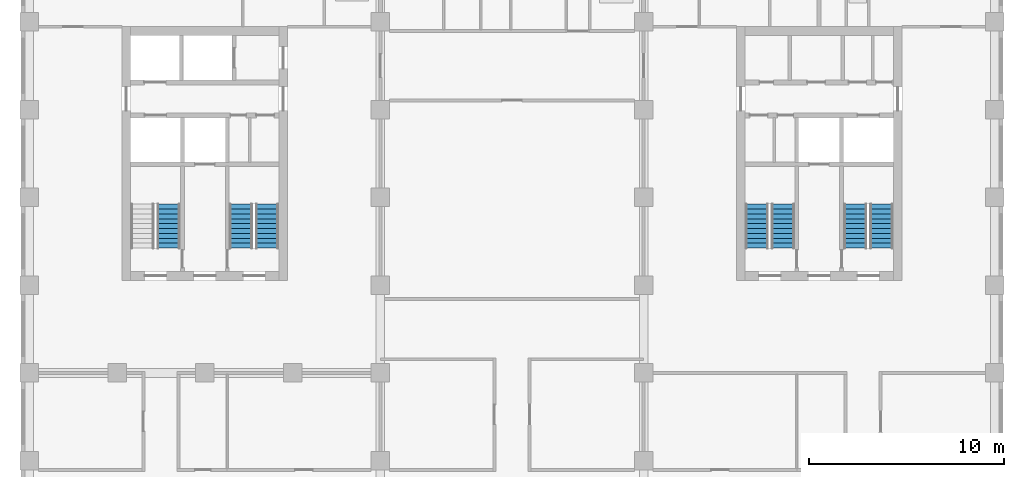
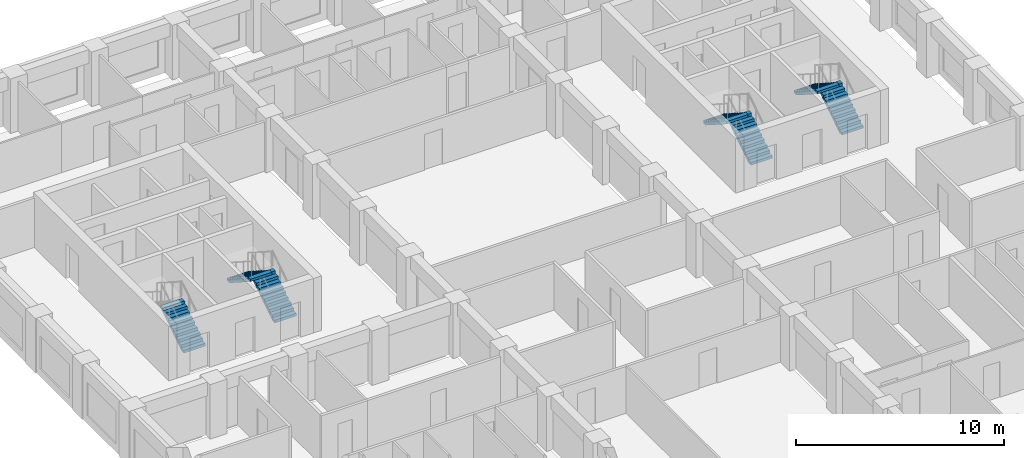
# One storey, part 10 of 13: 7 stair flights, 4 elements without a shape of their own.
"""IFC4 building model written with IfcOpenShell, lengths in metres."""

from ifc_helpers import new_model, si_unit, direction, frame, origin, place, context, subcontext, project, spatial, polyline, outline, extrude, material, type_object, element, aggregate, save


model = new_model("IFC4")

# Units and contexts
model_context = context("Model", 3, precision=1e-05, world=origin(), true_north=direction((0.0, 1.0)))
body_context = subcontext(model_context, "Body", "Model", "MODEL_VIEW")
ifc_project = project(units=[si_unit("LENGTHUNIT", "METRE"), si_unit("AREAUNIT", "SQUARE_METRE"), si_unit("VOLUMEUNIT", "CUBIC_METRE"), si_unit("PLANEANGLEUNIT", "RADIAN"), si_unit("MASSUNIT", "GRAM", prefix="KILO")], contexts=[model_context])

# Site, building, storey
site_placement = place(None, origin())
site = spatial("IfcSite", under=ifc_project, at=site_placement, CompositionType="ELEMENT")
building_placement = place(site_placement, origin())
building = spatial("IfcBuilding", under=site, at=building_placement, Name="Girih Gate Residences", CompositionType="ELEMENT")
storey_placement = place(building_placement, frame((0.0, 0.0, 133.39990234375)))
storey = spatial("IfcBuildingStorey", under=building, at=storey_placement, Name="L37", CompositionType="ELEMENT", Elevation=133.39990234375)

# Stair, stair flight
ifc_material = material(Name="Concrete C40/50", Category="concrete")
stair_type = type_object("IfcStairType", Name="Exit stair", PredefinedType="HALF_TURN_STAIR", material=ifc_material)
stair_1_placement = place(storey_placement, origin())
stair_1 = element("IfcStair", 1, at=stair_1_placement, inside=storey, type_object=stair_type, Name="L37 Exit Stair ST-W1", PredefinedType="HALF_TURN_STAIR")
stair_flight_type = type_object("IfcStairFlightType", Name="Stair flight 1200", PredefinedType="STRAIGHT", material=ifc_material)
stair_flight_1_placement = place(storey_placement, frame((7.14990234375, 28.89990234375, 0.0), z_axis=(0.0, 0.0, 1.0), x_axis=(0.0, 1.0, 0.0)))
stair_flight_1 = element("IfcStairFlight", 2, at=stair_flight_1_placement, type_object=stair_flight_type, Name="ST-W1 flight 1", NumberOfRisers=10, NumberOfTreads=9, PredefinedType="STRAIGHT", RiserHeight=0.16, TreadLength=0.25, context=body_context, shape_type="SweptSolid", body=[
    extrude(outline(polyline([(0.0, 0.0), (0.0, 0.159912109375), (0.25, 0.159912109375), (0.25, 0.320068359375), (0.5, 0.320068359375), (0.5, 0.47998046875), (0.75, 0.47998046875), (0.75, 0.639892578125), (1.0, 0.639892578125), (1.0, 0.800048828125), (1.25, 0.800048828125), (1.25, 0.9599609375), (1.5, 0.9599609375), (1.5, 1.1201171875), (1.75, 1.1201171875), (1.75, 1.280029296875), (2.0, 1.280029296875), (2.0, 1.43994140625), (2.25, 1.43994140625), (2.25, 1.60009765625), (2.25, 1.29736328125), (0.222900390625, 0.0), (0.0, 0.0)])), frame((0.0, 0.60009765625, 0.0), z_axis=(0.0, -1.0, 0.0), x_axis=(1.0, 0.0, 0.0)), (0.0, 0.0, 1.0), 1.199951171875),
])
aggregate(stair_1, [stair_flight_1])

# Stair, stair flights
stair_2_placement = place(storey_placement, origin())
stair_2 = element("IfcStair", 3, at=stair_2_placement, inside=storey, type_object=stair_type, Name="L37 Exit Stair ST-W2", PredefinedType="HALF_TURN_STAIR")
stair_flight_2_placement = place(storey_placement, frame((12.199951171875, 28.89990234375, 0.0), z_axis=(0.0, 0.0, 1.0), x_axis=(0.0, 1.0, 0.0)))
stair_flight_2 = element("IfcStairFlight", 4, at=stair_flight_2_placement, type_object=stair_flight_type, Name="ST-W2 flight 1", NumberOfRisers=10, NumberOfTreads=9, PredefinedType="STRAIGHT", RiserHeight=0.16, TreadLength=0.25, context=body_context, shape_type="SweptSolid", body=[
    extrude(outline(polyline([(0.0, 0.0), (0.0, 0.159912109375), (0.25, 0.159912109375), (0.25, 0.320068359375), (0.5, 0.320068359375), (0.5, 0.47998046875), (0.75, 0.47998046875), (0.75, 0.639892578125), (1.0, 0.639892578125), (1.0, 0.800048828125), (1.25, 0.800048828125), (1.25, 0.9599609375), (1.5, 0.9599609375), (1.5, 1.1201171875), (1.75, 1.1201171875), (1.75, 1.280029296875), (2.0, 1.280029296875), (2.0, 1.43994140625), (2.25, 1.43994140625), (2.25, 1.60009765625), (2.25, 1.29736328125), (0.222900390625, 0.0), (0.0, 0.0)])), frame((0.0, 0.60009765625, 0.0), z_axis=(0.0, -1.0, 0.0), x_axis=(1.0, 0.0, 0.0)), (0.0, 0.0, 1.0), 1.199951171875),
])
stair_flight_3_placement = place(storey_placement, frame((10.85009765625, 31.14990234375, 1.60009765625), z_axis=(0.0, 0.0, 1.0), x_axis=(0.0, -1.0, 0.0)))
stair_flight_3 = element("IfcStairFlight", 5, at=stair_flight_3_placement, type_object=stair_flight_type, Name="ST-W2 flight 2", NumberOfRisers=10, NumberOfTreads=9, PredefinedType="STRAIGHT", RiserHeight=0.16, TreadLength=0.25, context=body_context, shape_type="SweptSolid", body=[
    extrude(outline(polyline([(0.0, 0.0), (0.0, 0.159912109375), (0.25, 0.159912109375), (0.25, 0.320068359375), (0.5, 0.320068359375), (0.5, 0.47998046875), (0.75, 0.47998046875), (0.75, 0.639892578125), (1.0, 0.639892578125), (1.0, 0.800048828125), (1.25, 0.800048828125), (1.25, 0.9599609375), (1.5, 0.9599609375), (1.5, 1.1201171875), (1.75, 1.1201171875), (1.75, 1.280029296875), (2.0, 1.280029296875), (2.0, 1.43994140625), (2.25, 1.43994140625), (2.25, 1.60009765625), (2.25, 1.29736328125), (0.222900390625, 0.0), (0.0, 0.0)])), frame((0.0, 0.60009765625, 0.0), z_axis=(0.0, -1.0, 0.0), x_axis=(1.0, 0.0, 0.0)), (0.0, 0.0, 1.0), 1.199951171875),
])
aggregate(stair_2, [stair_flight_2, stair_flight_3])

stair_3_placement = place(storey_placement, origin())
stair_3 = element("IfcStair", 6, at=stair_3_placement, inside=storey, type_object=stair_type, Name="L37 Exit Stair ST-E1", PredefinedType="HALF_TURN_STAIR")
stair_flight_4_placement = place(storey_placement, frame((43.699951171875, 28.89990234375, 0.0), z_axis=(0.0, 0.0, 1.0), x_axis=(0.0, 1.0, 0.0)))
stair_flight_4 = element("IfcStairFlight", 7, at=stair_flight_4_placement, type_object=stair_flight_type, Name="ST-E1 flight 1", NumberOfRisers=10, NumberOfTreads=9, PredefinedType="STRAIGHT", RiserHeight=0.16, TreadLength=0.25, context=body_context, shape_type="SweptSolid", body=[
    extrude(outline(polyline([(0.0, 0.0), (0.0, 0.159912109375), (0.25, 0.159912109375), (0.25, 0.320068359375), (0.5, 0.320068359375), (0.5, 0.47998046875), (0.75, 0.47998046875), (0.75, 0.639892578125), (1.0, 0.639892578125), (1.0, 0.800048828125), (1.25, 0.800048828125), (1.25, 0.9599609375), (1.5, 0.9599609375), (1.5, 1.1201171875), (1.75, 1.1201171875), (1.75, 1.280029296875), (2.0, 1.280029296875), (2.0, 1.43994140625), (2.25, 1.43994140625), (2.25, 1.60009765625), (2.25, 1.29736328125), (0.222900390625, 0.0), (0.0, 0.0)])), frame((0.0, 0.60009765625, 0.0), z_axis=(0.0, -1.0, 0.0), x_axis=(1.0, 0.0, 0.0)), (0.0, 0.0, 1.0), 1.199951171875),
])
stair_flight_5_placement = place(storey_placement, frame((42.35009765625, 31.14990234375, 1.60009765625), z_axis=(0.0, 0.0, 1.0), x_axis=(0.0, -1.0, 0.0)))
stair_flight_5 = element("IfcStairFlight", 8, at=stair_flight_5_placement, type_object=stair_flight_type, Name="ST-E1 flight 2", NumberOfRisers=10, NumberOfTreads=9, PredefinedType="STRAIGHT", RiserHeight=0.16, TreadLength=0.25, context=body_context, shape_type="SweptSolid", body=[
    extrude(outline(polyline([(0.0, 0.0), (0.0, 0.159912109375), (0.25, 0.159912109375), (0.25, 0.320068359375), (0.5, 0.320068359375), (0.5, 0.47998046875), (0.75, 0.47998046875), (0.75, 0.639892578125), (1.0, 0.639892578125), (1.0, 0.800048828125), (1.25, 0.800048828125), (1.25, 0.9599609375), (1.5, 0.9599609375), (1.5, 1.1201171875), (1.75, 1.1201171875), (1.75, 1.280029296875), (2.0, 1.280029296875), (2.0, 1.43994140625), (2.25, 1.43994140625), (2.25, 1.60009765625), (2.25, 1.29736328125), (0.222900390625, 0.0), (0.0, 0.0)])), frame((0.0, 0.60009765625, 0.0), z_axis=(0.0, -1.0, 0.0), x_axis=(1.0, 0.0, 0.0)), (0.0, 0.0, 1.0), 1.199951171875),
])
aggregate(stair_3, [stair_flight_4, stair_flight_5])

stair_4_placement = place(storey_placement, origin())
stair_4 = element("IfcStair", 9, at=stair_4_placement, inside=storey, type_object=stair_type, Name="L37 Exit Stair ST-E2", PredefinedType="HALF_TURN_STAIR")
stair_flight_6_placement = place(storey_placement, frame((38.64990234375, 28.89990234375, 0.0), z_axis=(0.0, 0.0, 1.0), x_axis=(0.0, 1.0, 0.0)))
stair_flight_6 = element("IfcStairFlight", 10, at=stair_flight_6_placement, type_object=stair_flight_type, Name="ST-E2 flight 1", NumberOfRisers=10, NumberOfTreads=9, PredefinedType="STRAIGHT", RiserHeight=0.16, TreadLength=0.25, context=body_context, shape_type="SweptSolid", body=[
    extrude(outline(polyline([(0.0, 0.0), (0.0, 0.159912109375), (0.25, 0.159912109375), (0.25, 0.320068359375), (0.5, 0.320068359375), (0.5, 0.47998046875), (0.75, 0.47998046875), (0.75, 0.639892578125), (1.0, 0.639892578125), (1.0, 0.800048828125), (1.25, 0.800048828125), (1.25, 0.9599609375), (1.5, 0.9599609375), (1.5, 1.1201171875), (1.75, 1.1201171875), (1.75, 1.280029296875), (2.0, 1.280029296875), (2.0, 1.43994140625), (2.25, 1.43994140625), (2.25, 1.60009765625), (2.25, 1.29736328125), (0.222900390625, 0.0), (0.0, 0.0)])), frame((0.0, 0.60009765625, 0.0), z_axis=(0.0, -1.0, 0.0), x_axis=(1.0, 0.0, 0.0)), (0.0, 0.0, 1.0), 1.199951171875),
])
stair_flight_7_placement = place(storey_placement, frame((37.300048828125, 31.14990234375, 1.60009765625), z_axis=(0.0, 0.0, 1.0), x_axis=(0.0, -1.0, 0.0)))
stair_flight_7 = element("IfcStairFlight", 11, at=stair_flight_7_placement, type_object=stair_flight_type, Name="ST-E2 flight 2", NumberOfRisers=10, NumberOfTreads=9, PredefinedType="STRAIGHT", RiserHeight=0.16, TreadLength=0.25, context=body_context, shape_type="SweptSolid", body=[
    extrude(outline(polyline([(0.0, 0.0), (0.0, 0.159912109375), (0.25, 0.159912109375), (0.25, 0.320068359375), (0.5, 0.320068359375), (0.5, 0.47998046875), (0.75, 0.47998046875), (0.75, 0.639892578125), (1.0, 0.639892578125), (1.0, 0.800048828125), (1.25, 0.800048828125), (1.25, 0.9599609375), (1.5, 0.9599609375), (1.5, 1.1201171875), (1.75, 1.1201171875), (1.75, 1.280029296875), (2.0, 1.280029296875), (2.0, 1.43994140625), (2.25, 1.43994140625), (2.25, 1.60009765625), (2.25, 1.29736328125), (0.222900390625, 0.0), (0.0, 0.0)])), frame((0.0, 0.60009765625, 0.0), z_axis=(0.0, -1.0, 0.0), x_axis=(1.0, 0.0, 0.0)), (0.0, 0.0, 1.0), 1.199951171875),
])
aggregate(stair_4, [stair_flight_6, stair_flight_7])

save(model, "model.ifc")
